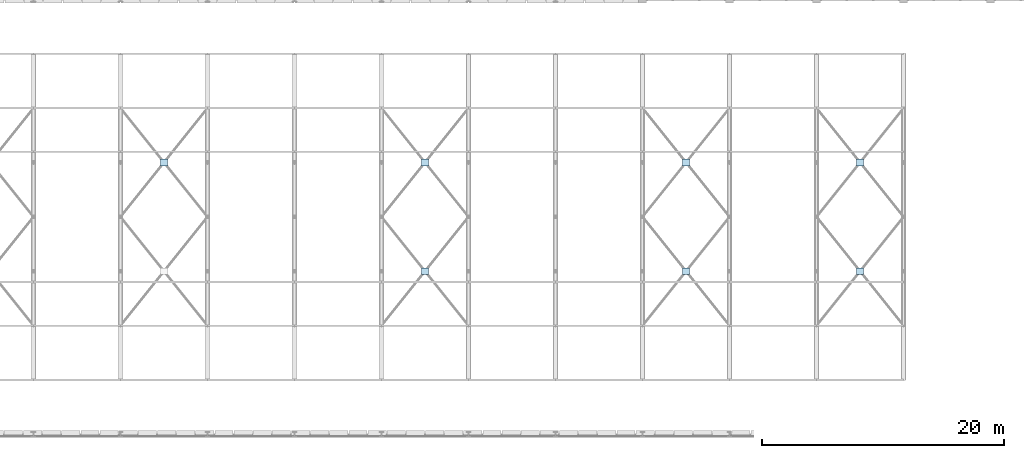
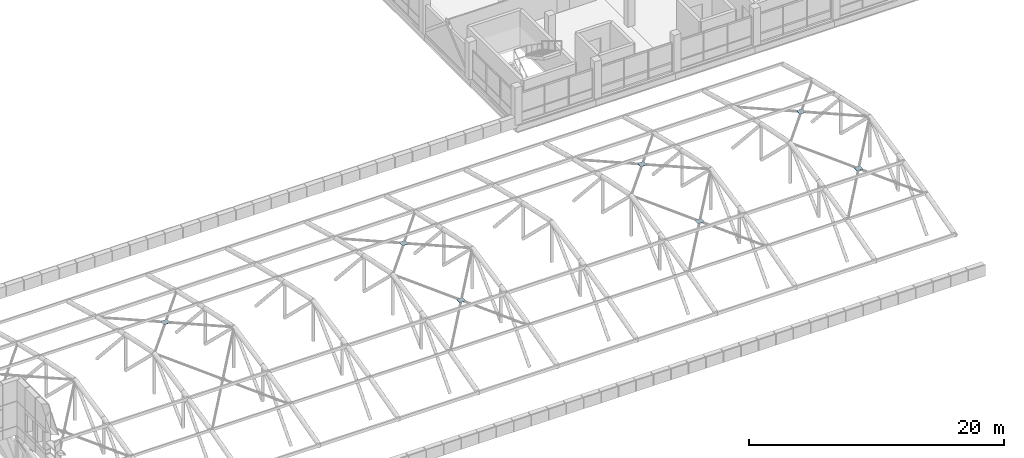
# One storey, part 54 of 96: 7 plates.
"""IFC4 building model written with IfcOpenShell, lengths in metres."""

from ifc_helpers import new_model, si_unit, direction, frame, origin, origin_2d, place, context, subcontext, project, spatial, rectangle, extrude, material, layer, layer_set, type_object, element, save


model = new_model("IFC4")

# Units and contexts
model_context = context("Model", 3, precision=1e-05, world=origin(), true_north=direction((0.0, 1.0)))
body_context = subcontext(model_context, "Body", "Model", "MODEL_VIEW")
ifc_project = project(units=[si_unit("LENGTHUNIT", "METRE"), si_unit("AREAUNIT", "SQUARE_METRE"), si_unit("VOLUMEUNIT", "CUBIC_METRE"), si_unit("PLANEANGLEUNIT", "RADIAN"), si_unit("MASSUNIT", "GRAM", prefix="KILO")], contexts=[model_context])

# Site, building, storey
site_placement = place(None, origin())
site = spatial("IfcSite", under=ifc_project, at=site_placement, CompositionType="ELEMENT")
building_placement = place(site_placement, origin())
building = spatial("IfcBuilding", under=site, at=building_placement, Name="Yarey Park Central Fire Station", CompositionType="ELEMENT")
storey_placement = place(building_placement, frame((0.0, 0.0, 14.39990234375)))
storey = spatial("IfcBuildingStorey", under=building, at=storey_placement, Name="L04", CompositionType="ELEMENT", Elevation=14.39990234375)

# Plates
ifc_material = material(Name="Steel ASTM A572 Gr. 50", Category="steel")
ifc_layer = layer(ifc_material, 0.02001953125)
ifc_layer_set = layer_set([ifc_layer], Name="Steel ASTM A572 Gr. 50")
plate_type = type_object("IfcPlateType", Name="STR_PLT_CAP1", PredefinedType="USERDEFINED", material=ifc_layer_set)
for number, where, z_axis, x_axis, name in (
    (1, (75.60009765625, 80.10009765625, 2.927978515625), (0.0, 0.0, 1.0), (1.0, 0.0, 0.0), "NODE_PLT_XBR_106"),
    (2, (97.199951171875, 71.10009765625, 2.927978515625), (0.0, 0.0, 1.0), (1.0, 0.0, 0.0), "NODE_PLT_XBR_107"),
    (3, (97.199951171875, 80.10009765625, 2.927978515625), (0.0, 0.0, 1.0), (1.0, 0.0, 0.0), "NODE_PLT_XBR_108"),
    (4, (118.800048828125, 71.10009765625, 2.927978515625), (0.0, 0.0, 1.0), (1.0, 0.0, 0.0), "NODE_PLT_XBR_109"),
    (5, (118.800048828125, 80.10009765625, 2.927978515625), (0.0, 0.0, 1.0), (1.0, 0.0, 0.0), "NODE_PLT_XBR_110"),
    (6, (133.199951171875, 71.10009765625, 2.927978515625), (0.0, 0.0, 1.0), (1.0, 0.0, 0.0), "NODE_PLT_XBR_111"),
    (7, (133.199951171875, 80.10009765625, 2.927978515625), (0.0, 0.0, 1.0), (1.0, 0.0, 0.0), "NODE_PLT_XBR_112"),
):
    element("IfcPlate", number, at=place(storey_placement, frame(where, z_axis=z_axis, x_axis=x_axis)), inside=storey, type_object=plate_type, Name=name, ObjectType="GUSSET_PLATE", PredefinedType="USERDEFINED", context=body_context, shape_type="SweptSolid", body=[
        extrude(rectangle(XDim=0.56005859375, YDim=0.56005859375, at=origin_2d()), origin(), (0.0, 0.0, 1.0), 0.02001953125),
    ])

save(model, "model.ifc")
